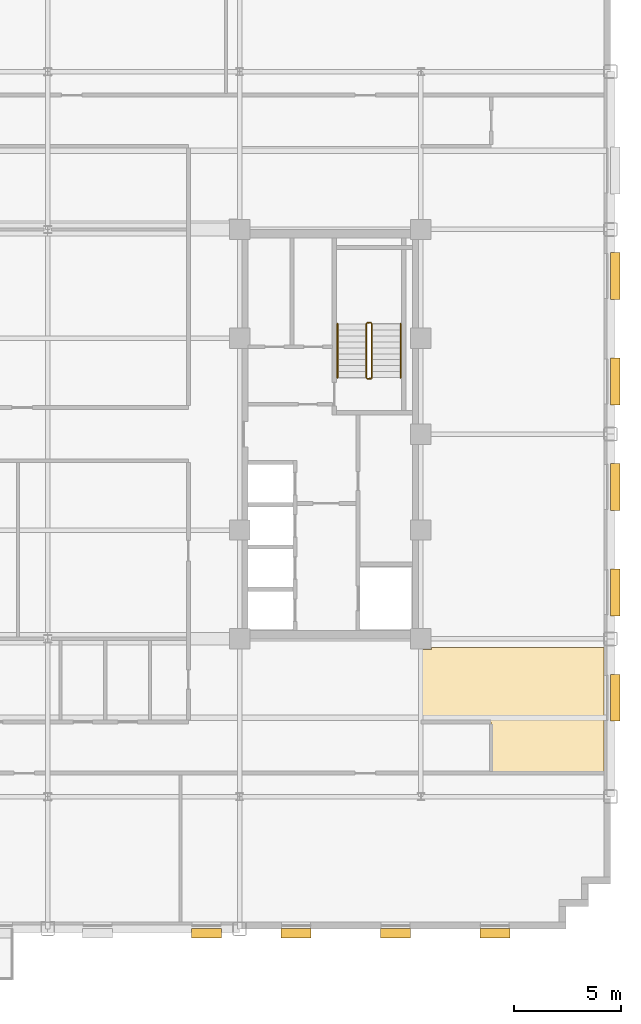
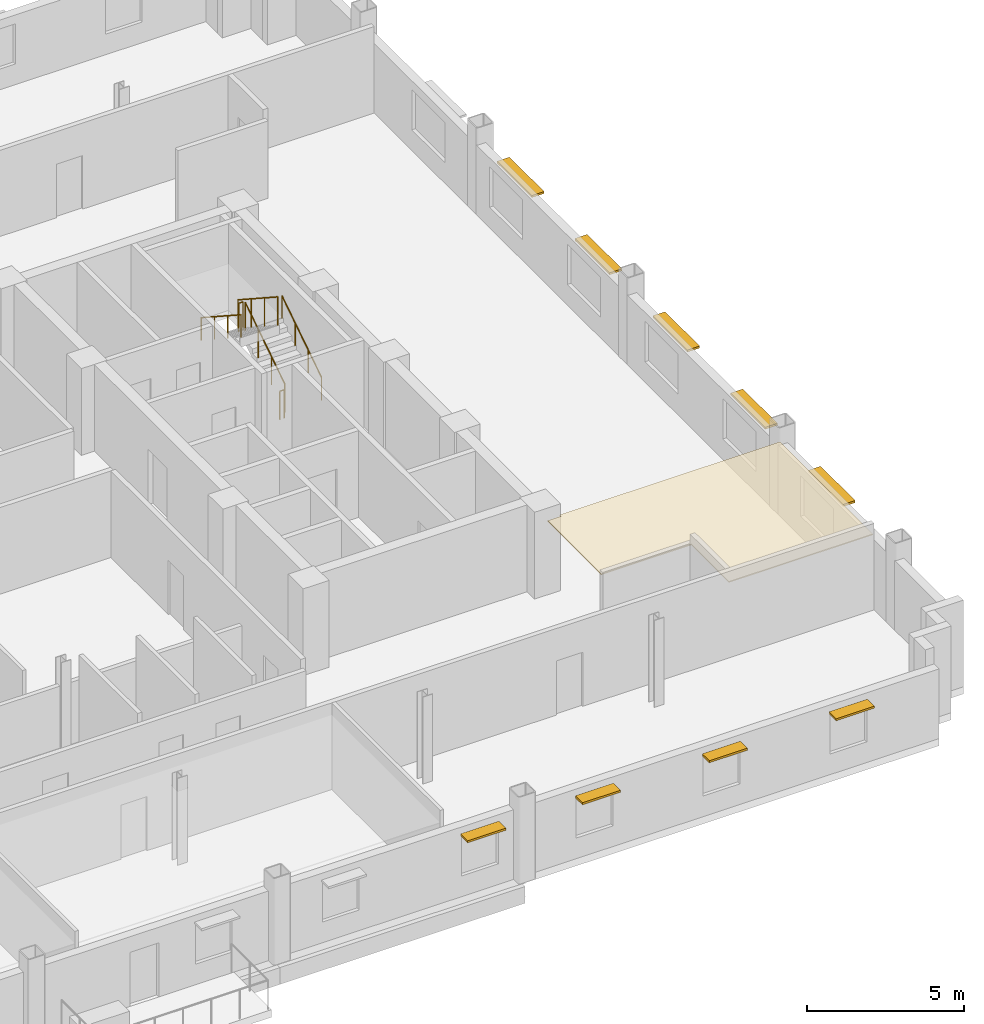
# One storey, part 12 of 13: 9 shading devices, 6 railings, 1 covering.
"""IFC4 building model written with IfcOpenShell, lengths in metres."""

import ifcopenshell
import ifcopenshell.guid

model = None  # the IFC model being written
_history = None  # IfcOwnerHistory: only IFC2X3 demands one
_inside = {}  # id of a spatial element -> (the spatial element, [elements in it])
_under = {}  # id of a project, library or spatial element -> (it, [spatial elements below it])
_declared = {}  # id of a project -> (the project, [libraries it declares])
_typed = {}  # id of a type object -> (the type object, [elements of that type])
_made_of = {}  # id of a material, layer set ... -> (it, [elements and type objects made of it])


def new_model(schema):
    """Start an empty IFC model of exactly this schema.

    Asked for "IFC4X3", IfcOpenShell would pick the latest addendum, in which some entities
    have other attributes; the version numbers below select the first issue.
    IFC2X3 requires an IfcOwnerHistory on every rooted entity: one is made here for all.
    """
    global model, _history
    if schema == "IFC4X3":
        model = ifcopenshell.file(schema_version=(4, 3, 0, 0))
    else:
        model = ifcopenshell.file(schema=schema)
    _inside.clear()
    _under.clear()
    _declared.clear()
    _typed.clear()
    _made_of.clear()
    _history = None
    if model.schema == "IFC2X3":
        org = make("IfcOrganization", Name="unknown")
        user = make(
            "IfcPersonAndOrganization",
            ThePerson=make("IfcPerson", FamilyName="unknown"),
            TheOrganization=org,
        )
        app = make(
            "IfcApplication",
            ApplicationDeveloper=org,
            Version="unknown",
            ApplicationFullName="unknown",
            ApplicationIdentifier="unknown",
        )
        _history = make(
            "IfcOwnerHistory",
            OwningUser=user,
            OwningApplication=app,
            ChangeAction="ADDED",
            CreationDate=0,
        )
    return model


def make(cls, **values):
    """One entity of the class cls with the attributes given. An attribute that is None is left unset."""
    return model.create_entity(
        cls, **{name: value for name, value in values.items() if value is not None}
    )


def rooted(cls, **values):
    """An entity with a GlobalId (a new one), such as an element, a storey or a relation."""
    return make(cls, GlobalId=ifcopenshell.guid.new(), OwnerHistory=_history, **values)


def si_unit(unit_type, name, prefix=None):
    """IfcSIUnit, for example si_unit("LENGTHUNIT", "METRE", prefix="MILLI")."""
    return make("IfcSIUnit", UnitType=unit_type, Prefix=prefix, Name=name)


def assignment(units):
    """IfcUnitAssignment: the units of a project."""
    return None if units is None else make("IfcUnitAssignment", Units=units)


def point(xyz):
    """IfcCartesianPoint."""
    return None if xyz is None else make("IfcCartesianPoint", Coordinates=xyz)


def direction(xyz):
    """IfcDirection."""
    return None if xyz is None else make("IfcDirection", DirectionRatios=xyz)


def frame(location, z_axis=None, x_axis=None):
    """IfcAxis2Placement3D, a coordinate frame: its origin and axes. An axis left out is left unset."""
    return make(
        "IfcAxis2Placement3D",
        Location=point(location),
        Axis=direction(z_axis),
        RefDirection=direction(x_axis),
    )


def frame_2d(location, x_axis=None):
    """IfcAxis2Placement2D, a coordinate frame in the plane: its origin and x axis."""
    return make(
        "IfcAxis2Placement2D", Location=point(location), RefDirection=direction(x_axis)
    )


def origin():
    """The frame at (0, 0, 0) with its axes left unset."""
    return frame((0.0, 0.0, 0.0))


def origin_2d():
    """The frame at (0, 0) in the plane with its x axis left unset."""
    return frame_2d((0.0, 0.0))


def place(relative_to, where):
    """IfcLocalPlacement: puts the frame where relative to a parent placement (None: the world)."""
    return make(
        "IfcLocalPlacement", PlacementRelTo=relative_to, RelativePlacement=where
    )


def context(
    kind, dimensions, precision=None, world=None, true_north=None, identifier=None
):
    """IfcGeometricRepresentationContext, for example the 3D "Model" context."""
    return make(
        "IfcGeometricRepresentationContext",
        ContextIdentifier=identifier,
        ContextType=kind,
        CoordinateSpaceDimension=dimensions,
        Precision=precision,
        WorldCoordinateSystem=world,
        TrueNorth=true_north,
    )


def subcontext(parent, identifier, kind, view, scale=None):
    """IfcGeometricRepresentationSubContext, for example "Body" below "Model"."""
    return make(
        "IfcGeometricRepresentationSubContext",
        ContextIdentifier=identifier,
        ContextType=kind,
        ParentContext=parent,
        TargetScale=scale,
        TargetView=view,
    )


def project(units=None, contexts=None):
    """IfcProject with its units and contexts."""
    return rooted(
        "IfcProject",
        Name="project",
        RepresentationContexts=contexts,
        UnitsInContext=assignment(units),
    )


def spatial(cls, under=None, at=None, **own):
    """A site, building, storey or space (cls), placed at a placement, below another one or the project."""
    s = rooted(cls, ObjectPlacement=at, **own)
    if under is not None:
        _under.setdefault(under.id(), (under, []))[1].append(s)
    return s


def polyline(points):
    """IfcPolyline through the points."""
    return make("IfcPolyline", Points=[point(p) for p in points])


def profile(cls, at=None, kind="AREA", **sizes):
    """A parametric profile (cls). Its sizes go by their IFC names, for example OverallWidth=200.0."""
    return make(cls, ProfileType=kind, Position=at, **sizes)


def rectangle(**sizes):
    """IfcRectangleProfileDef."""
    return profile("IfcRectangleProfileDef", **sizes)


def circle(**sizes):
    """IfcCircleProfileDef."""
    return profile("IfcCircleProfileDef", **sizes)


def outline(outer, holes=None, kind="AREA"):
    """IfcArbitraryClosedProfileDef: a profile drawn as a closed curve; with holes, ...WithVoids."""
    if holes is None:
        return make("IfcArbitraryClosedProfileDef", ProfileType=kind, OuterCurve=outer)
    return make(
        "IfcArbitraryProfileDefWithVoids",
        ProfileType=kind,
        OuterCurve=outer,
        InnerCurves=holes,
    )


def extrude(swept, where, along, depth):
    """IfcExtrudedAreaSolid: the profile swept, set in the frame where, extruded along a direction by depth."""
    return make(
        "IfcExtrudedAreaSolid",
        SweptArea=swept,
        Position=where,
        ExtrudedDirection=direction(along),
        Depth=depth,
    )


def shape(context_of_items, identifier, shape_type, items):
    """IfcShapeRepresentation: the items that make up one representation, for example the "Body"."""
    return make(
        "IfcShapeRepresentation",
        ContextOfItems=context_of_items,
        RepresentationIdentifier=identifier,
        RepresentationType=shape_type,
        Items=items,
    )


def source(mapping_origin, context_of_items, identifier, shape_type, items):
    """IfcRepresentationMap: a shape defined once, which mapped items show again and again."""
    return make(
        "IfcRepresentationMap",
        MappingOrigin=mapping_origin,
        MappedRepresentation=shape(context_of_items, identifier, shape_type, items),
    )


def transform(
    local_origin,
    x_axis=None,
    y_axis=None,
    z_axis=None,
    scale=None,
    scale2=None,
    scale3=None,
    uniform=True,
):
    """IfcCartesianTransformationOperator3D, or its non-uniform kind. x_axis, y_axis, z_axis: its Axis1, 2, 3."""
    if uniform:
        return make(
            "IfcCartesianTransformationOperator3D",
            Axis1=direction(x_axis),
            Axis2=direction(y_axis),
            LocalOrigin=point(local_origin),
            Scale=scale,
            Axis3=direction(z_axis),
        )
    return make(
        "IfcCartesianTransformationOperator3DnonUniform",
        Axis1=direction(x_axis),
        Axis2=direction(y_axis),
        LocalOrigin=point(local_origin),
        Scale=scale,
        Axis3=direction(z_axis),
        Scale2=scale2,
        Scale3=scale3,
    )


def mapped(mapping_source, mapping_target):
    """IfcMappedItem: shows the shape of a source again, moved by a transform."""
    return make(
        "IfcMappedItem", MappingSource=mapping_source, MappingTarget=mapping_target
    )


def material(Name=None, Category=None):
    """IfcMaterial."""
    return make("IfcMaterial", Name=Name, Category=Category)


def layer(
    of_material, thickness, ventilated=None, Name=None, Category=None, Priority=None
):
    """IfcMaterialLayer: one layer of a wall or slab, of a material (None: an air gap)."""
    return make(
        "IfcMaterialLayer",
        Material=of_material,
        LayerThickness=thickness,
        IsVentilated=ventilated,
        Name=Name,
        Category=Category,
        Priority=Priority,
    )


def layer_set(layers, Name=None):
    """IfcMaterialLayerSet."""
    return make("IfcMaterialLayerSet", MaterialLayers=layers, LayerSetName=Name)


def made_of(thing, what):
    """Note that an element or type object is made of a material, layer set ...; save() writes the relation."""
    if what is not None:
        _made_of.setdefault(what.id(), (what, []))[1].append(thing)
    return thing


def type_object(cls, material=None, **own):
    """A type object (cls), such as IfcWallType, which elements share."""
    return made_of(rooted(cls, **own), material)


def type_shapes(of_type, sources):
    """Give a type object the sources (RepresentationMaps) that its elements show as mapped items."""
    of_type.RepresentationMaps = sources


def element(
    cls,
    number,
    at=None,
    inside=None,
    cuts=None,
    type_object=None,
    material=None,
    context=None,
    identifier="Body",
    shape_type=None,
    held_by="IfcProductDefinitionShape",
    body=None,
    shapes=None,
    **own,
):
    """One element of the class cls, such as IfcWall. Its Tag is "e" and its number.

    at: its placement. inside: the storey or other place that contains it. cuts: it is an
    opening in that element (IfcRelVoidsElement). A single representation is given by context,
    identifier, shape_type and body (its items); several are given by shapes. held_by: the class
    of the entity that holds the representations. save() writes the other relations.
    """
    e = rooted(cls, Tag="e%d" % number, ObjectPlacement=at, **own)
    if body is not None:
        shapes = [shape(context, identifier, shape_type, body)]
    if shapes is not None:
        e.Representation = make(held_by, Representations=shapes)
    if inside is not None:
        _inside.setdefault(inside.id(), (inside, []))[1].append(e)
    if cuts is not None:
        rooted(
            "IfcRelVoidsElement", RelatingBuildingElement=cuts, RelatedOpeningElement=e
        )
    if type_object is not None:
        _typed.setdefault(type_object.id(), (type_object, []))[1].append(e)
    return made_of(e, material)


def aggregate(whole, parts):
    """IfcRelAggregates: a whole, such as a stair, and the parts it consists of."""
    return rooted("IfcRelAggregates", RelatingObject=whole, RelatedObjects=parts)


def save(model, path):
    """Write the relations noted so far, then the file.

    IfcRelAggregates (storeys below a building ...), IfcRelContainedInSpatialStructure (elements
    in a storey), IfcRelDefinesByType, IfcRelAssociatesMaterial and IfcRelDeclares: one each for
    every whole, place, type object, material and project.
    """
    for whole, parts in _under.values():
        aggregate(whole, parts)
    for where, things in _inside.values():
        rooted(
            "IfcRelContainedInSpatialStructure",
            RelatedElements=things,
            RelatingStructure=where,
        )
    for kind, things in _typed.values():
        rooted("IfcRelDefinesByType", RelatedObjects=things, RelatingType=kind)
    for what, things in _made_of.values():
        rooted("IfcRelAssociatesMaterial", RelatedObjects=things, RelatingMaterial=what)
    for by, libraries in _declared.values():
        rooted("IfcRelDeclares", RelatingContext=by, RelatedDefinitions=libraries)
    model.write(path)


model = new_model("IFC4")

# Units and contexts
model_context = context("Model", 3, precision=1e-05, world=origin(), true_north=direction((0.0, 1.0)))
body_context = subcontext(model_context, "Body", "Model", "MODEL_VIEW")
ifc_project = project(units=[si_unit("LENGTHUNIT", "METRE"), si_unit("AREAUNIT", "SQUARE_METRE"), si_unit("VOLUMEUNIT", "CUBIC_METRE"), si_unit("PLANEANGLEUNIT", "RADIAN"), si_unit("MASSUNIT", "GRAM", prefix="KILO")], contexts=[model_context])

# Site, building, storey
site_placement = place(None, origin())
site = spatial("IfcSite", under=ifc_project, at=site_placement, CompositionType="ELEMENT")
building_placement = place(site_placement, origin())
building = spatial("IfcBuilding", under=site, at=building_placement, Name="Nuvemarco Arch Tower", CompositionType="ELEMENT")
storey_placement = place(building_placement, frame((0.0, 0.0, 153.050048828125)))
storey = spatial("IfcBuildingStorey", under=building, at=storey_placement, Name="L40", CompositionType="ELEMENT", Elevation=153.050048828125)

# Covering
ifc_material_1 = material(Name="Mineral acoustic ceiling tile")
ifc_layer = layer(ifc_material_1, 0.0400390625, Name="COV-ACOUSTIC-CLG")
ifc_layer_set = layer_set([ifc_layer], Name="Mineral acoustic ceiling tile")
covering_type = type_object("IfcCoveringType", Name="COV-ACOUSTIC-CLG", PredefinedType="CEILING", material=ifc_layer_set)
covering_placement = place(storey_placement, frame((0.0, 0.0, 2.849853515625)))
element("IfcCovering", 1, at=covering_placement, inside=storey, type_object=covering_type, Name="L40 suspended acoustic ceiling 1", PredefinedType="CEILING", context=body_context, shape_type="SweptSolid", body=[
    extrude(outline(polyline([(17.5, -10.090087890625), (17.989990234375, -10.090087890625), (17.989990234375, -10.0), (26.080078125, -10.0), (26.080078125, -15.89990234375), (20.800048828125, -15.89990234375), (20.800048828125, -13.5), (17.5, -13.5), (17.5, -10.090087890625)])), origin(), (0.0, 0.0, 1.0), 0.0400390625),
])

# Railings
ifc_material_2 = material(Name="Brushed stainless steel handrail", Category="steel")
railing_type_1 = type_object("IfcRailingType", Name="RL-HANDRAIL-900", PredefinedType="HANDRAIL", material=ifc_material_2)
railing_1_placement = place(storey_placement, frame((16.550048828125, 2.64990234375, 0.182373046875)))
element("IfcRailing", 2, at=railing_1_placement, inside=storey, type_object=railing_type_1, Name="L40 ST-2 stair handrail 1", PredefinedType="HANDRAIL", context=body_context, shape_type="SweptSolid", body=[
    extrude(circle(Radius=0.02392578125, at=origin_2d()), frame((0.0, 0.0, 0.8759765625), z_axis=(0.0, 0.837749427056, 0.546054848405), x_axis=(-1.0, 0.0, 0.0)), (0.0, 0.0, 1.0), 3.008056640625),
    extrude(circle(Radius=0.02099609375, at=origin_2d()), origin(), (0.0, 0.0, 1.0), 0.851806640625),
    extrude(circle(Radius=0.02099609375, at=origin_2d()), frame((0.0, 0.840087890625, 0.547607421875)), (0.0, 0.0, 1.0), 0.851806640625),
    extrude(circle(Radius=0.02099609375, at=origin_2d()), frame((0.0, 1.679931640625, 1.094970703125)), (0.0, 0.0, 1.0), 0.851806640625),
    extrude(circle(Radius=0.02099609375, at=origin_2d()), frame((0.0, 2.52001953125, 1.642578125)), (0.0, 0.0, 1.0), 0.851806640625),
])
railing_2_placement = place(storey_placement, frame((13.590087890625, 5.169921875, 2.007568359375)))
element("IfcRailing", 3, at=railing_2_placement, inside=storey, type_object=railing_type_1, Name="L40 ST-2 stair handrail 2", PredefinedType="HANDRAIL", context=body_context, shape_type="SweptSolid", body=[
    extrude(circle(Radius=0.02392578125, at=origin_2d()), frame((0.0, 0.0, 0.8759765625), z_axis=(0.0, -0.837786554691, 0.545997883492), x_axis=(1.0, 0.0, 0.0)), (0.0, 0.0, 1.0), 3.008056640625),
    extrude(circle(Radius=0.02099609375, at=origin_2d()), origin(), (0.0, 0.0, 1.0), 0.851806640625),
    extrude(circle(Radius=0.02099609375, at=origin_2d()), frame((0.0, -0.840087890625, 0.54736328125)), (0.0, 0.0, 1.0), 0.851806640625),
    extrude(circle(Radius=0.02099609375, at=origin_2d()), frame((0.0, -1.679931640625, 1.094970703125)), (0.0, 0.0, 1.0), 0.851806640625),
    extrude(circle(Radius=0.02099609375, at=origin_2d()), frame((0.0, -2.52001953125, 1.642333984375)), (0.0, 0.0, 1.0), 0.851806640625),
])
ifc_material_3 = material(Name="Painted balustrade steel S355", Category="steel")
railing_type_2 = type_object("IfcRailingType", Name="RL-STAIR-GUARD", PredefinedType="GUARDRAIL", material=ifc_material_3)
railing_3_placement = place(storey_placement, frame((15.199951171875, 2.64990234375, 0.182373046875)))
element("IfcRailing", 4, at=railing_3_placement, inside=storey, type_object=railing_type_2, Name="L40 ST-2 stair guard 1", PredefinedType="GUARDRAIL", context=body_context, shape_type="SweptSolid", body=[
    extrude(circle(Radius=0.02392578125, at=origin_2d()), frame((0.0, 0.0, 1.09619140625), z_axis=(0.0, 0.837749427056, 0.546054848405), x_axis=(-1.0, 0.0, 0.0)), (0.0, 0.0, 1.0), 3.008056640625),
    extrude(circle(Radius=0.02099609375, at=origin_2d()), origin(), (0.0, 0.0, 1.0), 1.072021484375),
    extrude(circle(Radius=0.02099609375, at=origin_2d()), frame((0.0, 0.840087890625, 0.547607421875)), (0.0, 0.0, 1.0), 1.072021484375),
    extrude(circle(Radius=0.02099609375, at=origin_2d()), frame((0.0, 1.679931640625, 1.094970703125)), (0.0, 0.0, 1.0), 1.072021484375),
    extrude(circle(Radius=0.02099609375, at=origin_2d()), frame((0.0, 2.52001953125, 1.642578125)), (0.0, 0.0, 1.0), 1.072021484375),
])
railing_4_placement = place(storey_placement, frame((15.14990234375, 5.219970703125, 1.824951171875)))
element("IfcRailing", 5, at=railing_4_placement, inside=storey, type_object=railing_type_2, Name="L40 ST-2 stair guard 2", PredefinedType="GUARDRAIL", context=body_context, shape_type="SweptSolid", body=[
    extrude(circle(Radius=0.02392578125, at=origin_2d()), frame((0.0, 0.0, 1.09619140625), z_axis=(-1.0, 0.0, 0.0), x_axis=(0.0, -1.0, 0.0)), (0.0, 0.0, 1.0), 0.159912109375),
    extrude(circle(Radius=0.02099609375, at=origin_2d()), origin(), (0.0, 0.0, 1.0), 1.072021484375),
    extrude(circle(Radius=0.02099609375, at=origin_2d()), frame((-0.159912109375, 0.0, 0.0)), (0.0, 0.0, 1.0), 1.072021484375),
])
railing_5_placement = place(storey_placement, frame((14.93994140625, 5.169921875, 2.007568359375)))
element("IfcRailing", 6, at=railing_5_placement, inside=storey, type_object=railing_type_2, Name="L40 ST-2 stair guard 3", PredefinedType="GUARDRAIL", context=body_context, shape_type="SweptSolid", body=[
    extrude(circle(Radius=0.02392578125, at=origin_2d()), frame((0.0, 0.0, 1.09619140625), z_axis=(0.0, -0.837786554691, 0.545997883492), x_axis=(1.0, 0.0, 0.0)), (0.0, 0.0, 1.0), 3.008056640625),
    extrude(circle(Radius=0.02099609375, at=origin_2d()), origin(), (0.0, 0.0, 1.0), 1.072021484375),
    extrude(circle(Radius=0.02099609375, at=origin_2d()), frame((0.0, -0.840087890625, 0.54736328125)), (0.0, 0.0, 1.0), 1.072021484375),
    extrude(circle(Radius=0.02099609375, at=origin_2d()), frame((0.0, -1.679931640625, 1.094970703125)), (0.0, 0.0, 1.0), 1.072021484375),
    extrude(circle(Radius=0.02099609375, at=origin_2d()), frame((0.0, -2.52001953125, 1.642333984375)), (0.0, 0.0, 1.0), 1.072021484375),
])
railing_6_placement = place(storey_placement, frame((15.14990234375, 2.60009765625, 0.0)))
element("IfcRailing", 7, at=railing_6_placement, inside=storey, type_object=railing_type_2, Name="L40 ST-2 stair guard 4", PredefinedType="GUARDRAIL", context=body_context, shape_type="SweptSolid", body=[
    extrude(circle(Radius=0.02392578125, at=origin_2d()), frame((0.0, 0.0, 1.09619140625), z_axis=(-1.0, 0.0, 0.0), x_axis=(0.0, -1.0, 0.0)), (0.0, 0.0, 1.0), 0.159912109375),
    extrude(circle(Radius=0.02099609375, at=origin_2d()), origin(), (0.0, 0.0, 1.0), 1.072021484375),
    extrude(circle(Radius=0.02099609375, at=origin_2d()), frame((-0.159912109375, 0.0, 0.0)), (0.0, 0.0, 1.0), 1.072021484375),
])

# Shading devices
ifc_material_4 = material(Name="Anodised aluminium 6063-T6", Category="aluminium")
shading_device_type_1 = type_object("IfcShadingDeviceType", Name="SHD-BRISE-SOLEIL", PredefinedType="USERDEFINED", material=ifc_material_4)
shared_shape_1 = source(origin(), body_context, "Body", "SweptSolid", [
    extrude(rectangle(XDim=2.199951171875, YDim=0.449951171875, at=origin_2d()), origin(), (0.0, 0.0, 1.0), 0.080078125),
])
type_shapes(shading_device_type_1, [shared_shape_1])
for number, where, z_axis, x_axis, name in (
    (8, (26.614990234375, -12.364990234375, 2.364990234375), (0.0, 0.0, 1.0), (0.0, 1.0, 0.0), "L40 horizontal brise-soleil sunshade"),
    (9, (26.614990234375, -7.4189453125, 2.364990234375), (0.0, 0.0, 1.0), (0.0, 1.0, 0.0), "L40 horizontal brise-soleil sunshade"),
    (10, (26.614990234375, -2.472900390625, 2.364990234375), (0.0, 0.0, 1.0), (0.0, 1.0, 0.0), "L40 horizontal brise-soleil sunshade"),
    (11, (26.614990234375, 2.472900390625, 2.364990234375), (0.0, 0.0, 1.0), (0.0, 1.0, 0.0), "L40 horizontal brise-soleil sunshade"),
    (12, (26.614990234375, 7.4189453125, 2.364990234375), (0.0, 0.0, 1.0), (0.0, 1.0, 0.0), "L40 horizontal brise-soleil sunshade"),
):
    element("IfcShadingDevice", number, at=place(storey_placement, frame(where, z_axis=z_axis, x_axis=x_axis)), inside=storey, type_object=shading_device_type_1, Name=name, ObjectType="SUNSHADE", PredefinedType="USERDEFINED", context=body_context, shape_type="MappedRepresentation", body=[
        mapped(shared_shape_1, transform((0.0, 0.0, 0.0), scale=1.0)),
    ])
shading_device_type_2 = type_object("IfcShadingDeviceType", Name="SHD-BRISE-NARROW", PredefinedType="USERDEFINED", material=ifc_material_4)
shared_shape_2 = source(origin(), body_context, "Body", "SweptSolid", [
    extrude(rectangle(XDim=1.39990234375, YDim=0.449951171875, at=origin_2d()), origin(), (0.0, 0.0, 1.0), 0.080078125),
])
type_shapes(shading_device_type_2, [shared_shape_2])
for number, where, z_axis, x_axis, name in (
    (13, (7.43994140625, -23.4150390625, 2.364990234375), (0.0, 0.0, 1.0), (1.0, 0.0, 0.0), "L40 horizontal brise-soleil sunshade"),
    (14, (11.64990234375, -23.4150390625, 2.364990234375), (0.0, 0.0, 1.0), (1.0, 0.0, 0.0), "L40 horizontal brise-soleil sunshade"),
    (15, (16.31005859375, -23.4150390625, 2.364990234375), (0.0, 0.0, 1.0), (1.0, 0.0, 0.0), "L40 horizontal brise-soleil sunshade"),
    (16, (20.969970703125, -23.4150390625, 2.364990234375), (0.0, 0.0, 1.0), (1.0, 0.0, 0.0), "L40 horizontal brise-soleil sunshade"),
):
    element("IfcShadingDevice", number, at=place(storey_placement, frame(where, z_axis=z_axis, x_axis=x_axis)), inside=storey, type_object=shading_device_type_2, Name=name, ObjectType="SUNSHADE", PredefinedType="USERDEFINED", context=body_context, shape_type="MappedRepresentation", body=[
        mapped(shared_shape_2, transform((0.0, 0.0, 0.0), scale=1.0)),
    ])

save(model, "model.ifc")
